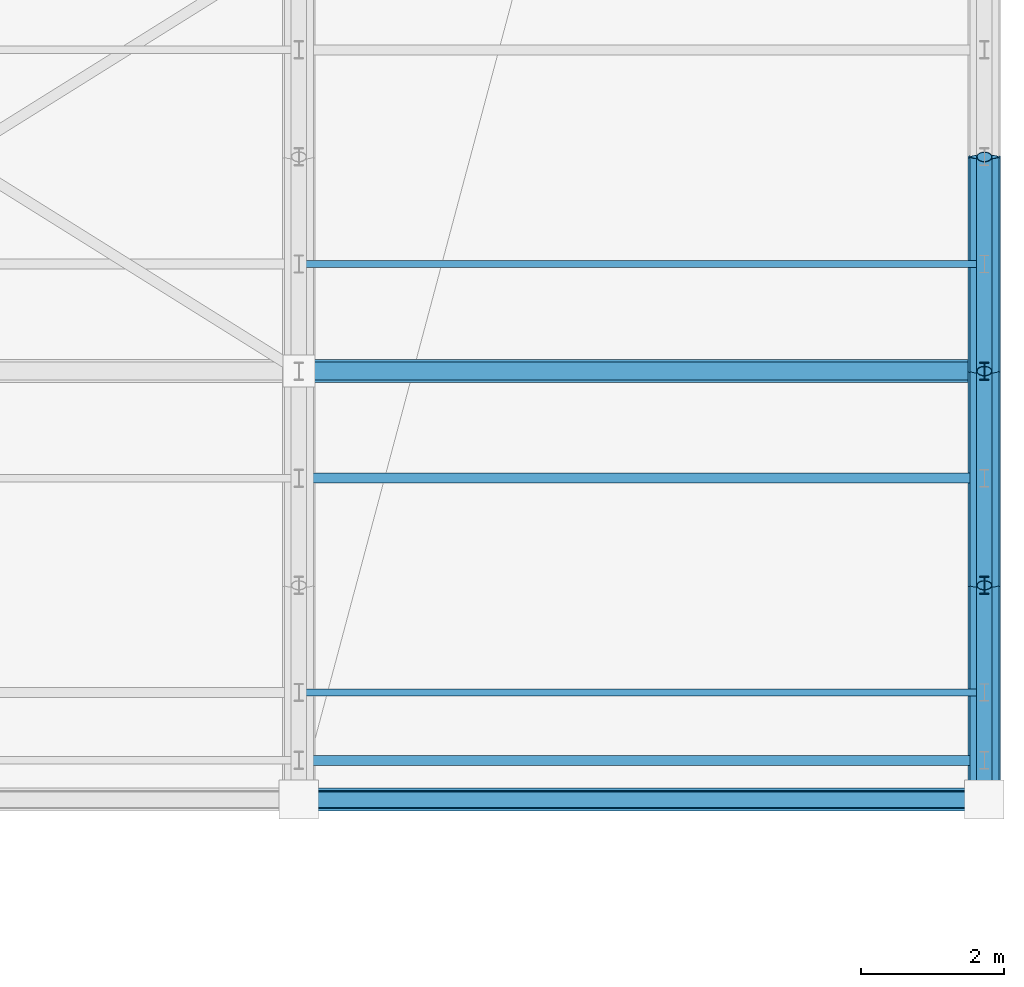
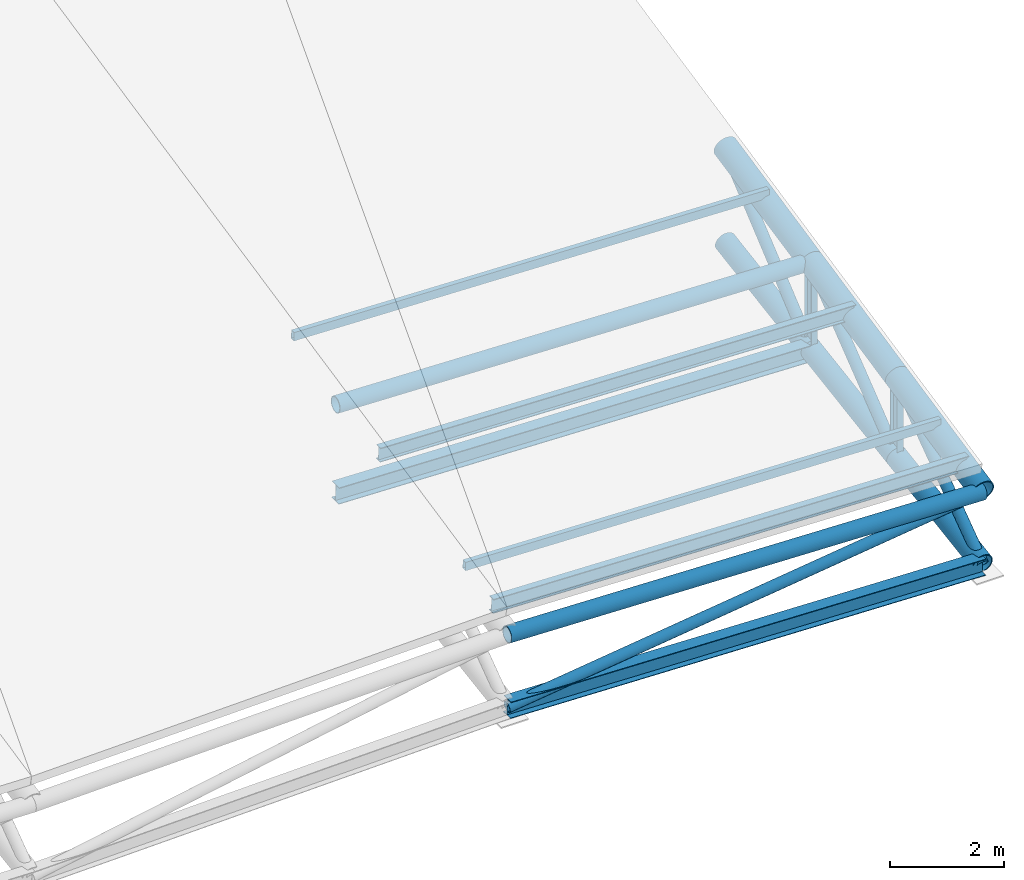
# One storey, part 37 of 109: 14 members, 6 beams.
"""IFC4 building model written with IfcOpenShell, lengths in metres."""

from ifc_helpers import new_model, si_unit, direction, frame, origin, origin_2d, place, context, subcontext, project, spatial, hollow_rectangle, hollow_circle, i_section, extrude, material, material_profile, profile_set, type_object, element, save


model = new_model("IFC4")

# Units and contexts
model_context = context("Model", 3, precision=1e-05, world=origin(), true_north=direction((0.0, 1.0)))
body_context = subcontext(model_context, "Body", "Model", "MODEL_VIEW")
ifc_project = project(units=[si_unit("LENGTHUNIT", "METRE"), si_unit("AREAUNIT", "SQUARE_METRE"), si_unit("VOLUMEUNIT", "CUBIC_METRE"), si_unit("PLANEANGLEUNIT", "RADIAN"), si_unit("MASSUNIT", "GRAM", prefix="KILO")], contexts=[model_context])

# Site, building, storey
site_placement = place(None, origin())
site = spatial("IfcSite", under=ifc_project, at=site_placement, CompositionType="ELEMENT")
building_placement = place(site_placement, origin())
building = spatial("IfcBuilding", under=site, at=building_placement, Name="Suirenkawa Promenade Aquatics Centre", CompositionType="ELEMENT")
storey_placement = place(building_placement, frame((0.0, 0.0, 22.800048828125)))
storey = spatial("IfcBuildingStorey", under=building, at=storey_placement, Name="ROOF", CompositionType="ELEMENT", Elevation=22.800048828125)

# Beams
ifc_material = material(Name="Steel IS 2062 E350 (Grade 350)", Category="steel")
ifc_material_profile_1 = material_profile(ifc_material, hollow_circle(Radius=0.202880859375, WallThickness=0.01806640625, at=origin_2d()), Name="CHS 406x18", Category="steel")
ifc_profile_set_1 = profile_set([ifc_material_profile_1], Name="Steel IS 2062 E350 (Grade 350)")
beam_type_1 = type_object("IfcBeamType", Name="BT-BC-CHS406", PredefinedType="BEAM", material=ifc_profile_set_1)
beam_1_placement = place(storey_placement, frame((194.39990234375, 50.39990234375, -10.630126953125), z_axis=(0.0, 0.988146576735, 0.153513331298), x_axis=(-1.0, 0.0, 0.0)))
element("IfcBeam", 1, at=beam_1_placement, inside=storey, type_object=beam_type_1, Name="ROOF TRUSS V2 bottom chord BC-01 BM-2540", PredefinedType="BEAM", context=body_context, shape_type="SweptSolid", body=[
    extrude(hollow_circle(Radius=0.202880859375, WallThickness=0.01806640625, at=origin_2d()), origin(), (0.0, 0.0, 1.0), 3.035888671875),
])
beam_2_placement = place(storey_placement, frame((194.39990234375, 53.39990234375, -10.1640625), z_axis=(0.0, 0.987852103285, 0.155396982068), x_axis=(-1.0, 0.0, 0.0)))
element("IfcBeam", 2, at=beam_2_placement, inside=storey, type_object=beam_type_1, Name="ROOF TRUSS V2 bottom chord BC-01 BM-2542", PredefinedType="BEAM", context=body_context, shape_type="SweptSolid", body=[
    extrude(hollow_circle(Radius=0.202880859375, WallThickness=0.01806640625, at=origin_2d()), origin(), (0.0, 0.0, 1.0), 3.036865234375),
])
beam_3_placement = place(storey_placement, frame((194.39990234375, 56.39990234375, -9.692138671875), z_axis=(0.0, 0.987278169946, 0.15900256334), x_axis=(-1.0, 0.0, 0.0)))
element("IfcBeam", 3, at=beam_3_placement, inside=storey, type_object=beam_type_1, Name="ROOF TRUSS V2 bottom chord BC-01 BM-2544", PredefinedType="BEAM", context=body_context, shape_type="SweptSolid", body=[
    extrude(hollow_circle(Radius=0.202880859375, WallThickness=0.01806640625, at=origin_2d()), origin(), (0.0, 0.0, 1.0), 3.03857421875),
])
ifc_material_profile_2 = material_profile(ifc_material, hollow_circle(Radius=0.22900390625, WallThickness=0.02001953125, at=origin_2d()), Name="CHS 458x20", Category="steel")
ifc_profile_set_2 = profile_set([ifc_material_profile_2], Name="Steel IS 2062 E350 (Grade 350)")
beam_type_2 = type_object("IfcBeamType", Name="BT-TC-CHS458", PredefinedType="BEAM", material=ifc_profile_set_2)
for number, where, z_axis, x_axis, name in (
    (4, (194.39990234375, 50.39990234375, -9.080078125), (0.0, 0.978452518953, 0.206471954886), (-1.0, 0.0, 0.0), "ROOF TRUSS V2 top chord TC-01 BM-2539"),
    (5, (194.39990234375, 53.39990234375, -8.447021484375), (0.0, 0.978388130003, 0.206776853322), (-1.0, 0.0, 0.0), "ROOF TRUSS V2 top chord TC-01 BM-2541"),
    (6, (194.39990234375, 56.39990234375, -7.81298828125), (0.0, 0.978452518953, 0.206471954886), (-1.0, 0.0, 0.0), "ROOF TRUSS V2 top chord TC-01 BM-2543"),
):
    element("IfcBeam", number, at=place(storey_placement, frame(where, z_axis=z_axis, x_axis=x_axis)), inside=storey, type_object=beam_type_2, Name=name, PredefinedType="BEAM", context=body_context, shape_type="SweptSolid", body=[
        extrude(hollow_circle(Radius=0.22900390625, WallThickness=0.02001953125, at=origin_2d()), origin(), (0.0, 0.0, 1.0), 3.066162109375),
    ])

# Members
ifc_material_profile_3 = material_profile(ifc_material, hollow_circle(Radius=0.162109375, WallThickness=0.013916015625, at=origin_2d()), Name="CHS 324x14", Category="steel")
ifc_profile_set_3 = profile_set([ifc_material_profile_3], Name="Steel IS 2062 E350 (Grade 350)")
member_type_1 = type_object("IfcMemberType", Name="MT-CHORD-CHS324", PredefinedType="CHORD", material=ifc_profile_set_3)
for number, where, z_axis, x_axis, name in (
    (7, (184.800048828125, 50.39990234375, -8.780029296875), (0.999511902476, 0.0, -0.031240307422), (0.0, 1.0, 0.0), "ROOF TRUSS V2 eave top chord CH-01 MB-1155"),
    (8, (184.800048828125, 56.39990234375, -7.512939453125), (0.999511902476, 0.0, -0.031240307422), (0.0, 1.0, 0.0), "ROOF TRUSS V2 tie chord CH-01 MB-1176"),
):
    element("IfcMember", number, at=place(storey_placement, frame(where, z_axis=z_axis, x_axis=x_axis)), inside=storey, type_object=member_type_1, Name=name, PredefinedType="CHORD", context=body_context, shape_type="SweptSolid", body=[
        extrude(hollow_circle(Radius=0.162109375, WallThickness=0.013916015625, at=origin_2d()), origin(), (0.0, 0.0, 1.0), 9.6044921875),
    ])
ifc_material_profile_4 = material_profile(ifc_material, i_section(OverallWidth=0.25, OverallDepth=0.35009765625, WebThickness=0.010009765625, FlangeThickness=0.011962890625, at=origin_2d()), Name="ISHB 350", Category="steel")
ifc_profile_set_4 = profile_set([ifc_material_profile_4], Name="Steel IS 2062 E350 (Grade 350)")
member_type_2 = type_object("IfcMemberType", Name="MT-CHORD-ISHB350", PredefinedType="CHORD", material=ifc_profile_set_4)
for number, where, z_axis, x_axis, name in (
    (9, (184.800048828125, 50.39990234375, -10.330078125), (0.999511902476, 0.0, -0.031240307422), (0.0, 1.0, 0.0), "ROOF TRUSS V2 eave bottom chord CH-04 MB-1156"),
    (10, (184.800048828125, 56.39990234375, -9.39208984375), (0.999511902476, 0.0, -0.031240307422), (0.0, 1.0, 0.0), "ROOF TRUSS V2 bottom tie CH-04 MB-1177"),
):
    element("IfcMember", number, at=place(storey_placement, frame(where, z_axis=z_axis, x_axis=x_axis)), inside=storey, type_object=member_type_2, Name=name, PredefinedType="CHORD", context=body_context, shape_type="SweptSolid", body=[
        extrude(i_section(OverallWidth=0.25, OverallDepth=0.35009765625, WebThickness=0.010009765625, FlangeThickness=0.011962890625, at=origin_2d()), origin(), (0.0, 0.0, 1.0), 9.6044921875),
    ])
ifc_material_profile_5 = material_profile(ifc_material, i_section(OverallWidth=0.139892578125, OverallDepth=0.300048828125, WebThickness=0.008056640625, FlangeThickness=0.012939453125, at=origin_2d()), Name="ISMB 300", Category="steel")
ifc_profile_set_5 = profile_set([ifc_material_profile_5], Name="Steel IS 2062 E350 (Grade 350)")
member_type_3 = type_object("IfcMemberType", Name="MT-PURLIN-ISMB300", PredefinedType="PURLIN", material=ifc_profile_set_5)
for number, where, z_axis, x_axis, name in (
    (11, (184.800048828125, 50.949951171875, -8.47802734375), (0.9995150722, 0.0, -0.031138729011), (0.0, 1.0, 0.0), "ROOF TRUSS Roof purlin PU-05 MB-2561"),
    (12, (184.800048828125, 54.89990234375, -7.64404296875), (0.999511902476, 0.0, -0.031240307422), (0.0, 1.0, 0.0), "ROOF TRUSS Roof purlin PU-05 MB-2565"),
):
    element("IfcMember", number, at=place(storey_placement, frame(where, z_axis=z_axis, x_axis=x_axis)), inside=storey, type_object=member_type_3, Name=name, PredefinedType="PURLIN", context=body_context, shape_type="SweptSolid", body=[
        extrude(i_section(OverallWidth=0.139892578125, OverallDepth=0.300048828125, WebThickness=0.008056640625, FlangeThickness=0.012939453125, at=origin_2d()), origin(), (0.0, 0.0, 1.0), 9.6044921875),
    ])
ifc_material_profile_6 = material_profile(ifc_material, hollow_rectangle(XDim=0.10009765625, YDim=0.179931640625, WallThickness=0.008056640625, at=origin_2d()), Name="RHS 180x100x8", Category="steel")
ifc_profile_set_6 = profile_set([ifc_material_profile_6], Name="Steel IS 2062 E350 (Grade 350)")
member_type_4 = type_object("IfcMemberType", Name="MT-PURLIN-RHS180", PredefinedType="PURLIN", material=ifc_profile_set_6)
for number, where, z_axis, x_axis, name in (
    (13, (184.800048828125, 51.89990234375, -8.213134765625), (0.999512695873, 0.0, -0.03121491291), (0.0, 1.0, 0.0), "ROOF TRUSS Roof purlin PU-01 MB-2563"),
    (14, (184.800048828125, 57.89990234375, -6.946044921875), (0.999511902476, 0.0, -0.031240307422), (0.0, 1.0, 0.0), "ROOF TRUSS Roof purlin PU-01 MB-2567"),
):
    element("IfcMember", number, at=place(storey_placement, frame(where, z_axis=z_axis, x_axis=x_axis)), inside=storey, type_object=member_type_4, Name=name, PredefinedType="PURLIN", context=body_context, shape_type="SweptSolid", body=[
        extrude(hollow_rectangle(XDim=0.10009765625, YDim=0.179931640625, WallThickness=0.008056640625, at=origin_2d()), origin(), (0.0, 0.0, 1.0), 9.6044921875),
    ])
ifc_material_profile_7 = material_profile(ifc_material, i_section(OverallWidth=0.125, OverallDepth=0.25, WebThickness=0.007080078125, FlangeThickness=0.012939453125, at=origin_2d()), Name="ISMB 250", Category="steel")
ifc_profile_set_7 = profile_set([ifc_material_profile_7], Name="Steel IS 2062 E350 (Grade 350)")
member_type_5 = type_object("IfcMemberType", Name="MT-WEB-CHS168", PredefinedType="BRACE", material=ifc_profile_set_7)
member_1_placement = place(storey_placement, frame((194.39990234375, 53.39990234375, -10.1640625), z_axis=(0.0, 0.0, 1.0), x_axis=(1.0, 0.0, 0.0)))
element("IfcMember", 15, at=member_1_placement, inside=storey, type_object=member_type_5, Name="ROOF TRUSS V2 web post TD-03 MB-1129", PredefinedType="BRACE", context=body_context, shape_type="SweptSolid", body=[
    extrude(i_section(OverallWidth=0.125, OverallDepth=0.25, WebThickness=0.007080078125, FlangeThickness=0.012939453125, at=origin_2d()), origin(), (0.0, 0.0, 1.0), 1.717041015625),
])
member_2_placement = place(storey_placement, frame((194.39990234375, 56.39990234375, -9.692138671875), z_axis=(0.0, 0.0, 1.0), x_axis=(1.0, 0.0, 0.0)))
element("IfcMember", 16, at=member_2_placement, inside=storey, type_object=member_type_5, Name="ROOF TRUSS V2 web post TD-03 MB-1130", PredefinedType="BRACE", context=body_context, shape_type="SweptSolid", body=[
    extrude(i_section(OverallWidth=0.125, OverallDepth=0.25, WebThickness=0.007080078125, FlangeThickness=0.012939453125, at=origin_2d()), origin(), (0.0, 0.0, 1.0), 1.879150390625),
])
ifc_material_profile_8 = material_profile(ifc_material, hollow_circle(Radius=0.110107421875, WallThickness=0.010009765625, at=origin_2d()), Name="CHS 220x10", Category="steel")
ifc_profile_set_8 = profile_set([ifc_material_profile_8], Name="Steel IS 2062 E350 (Grade 350)")
member_type_6 = type_object("IfcMemberType", Name="MT-WEB-CHS220", PredefinedType="BRACE", material=ifc_profile_set_8)
member_3_placement = place(storey_placement, frame((194.39990234375, 50.39990234375, -10.630126953125), z_axis=(0.0, 0.808571014745, 0.588398601387), x_axis=(-1.0, 0.0, 0.0)))
element("IfcMember", 17, at=member_3_placement, inside=storey, type_object=member_type_6, Name="ROOF TRUSS V2 web diagonal TD-01 MB-1111", PredefinedType="BRACE", context=body_context, shape_type="SweptSolid", body=[
    extrude(hollow_circle(Radius=0.110107421875, WallThickness=0.010009765625, at=origin_2d()), origin(), (0.0, 0.0, 1.0), 3.710205078125),
])
member_4_placement = place(storey_placement, frame((194.39990234375, 53.39990234375, -10.1640625), z_axis=(0.0, 0.787091215827, 0.616836621779), x_axis=(-1.0, 0.0, 0.0)))
element("IfcMember", 18, at=member_4_placement, inside=storey, type_object=member_type_6, Name="ROOF TRUSS V2 web diagonal TD-01 MB-1112", PredefinedType="BRACE", context=body_context, shape_type="SweptSolid", body=[
    extrude(hollow_circle(Radius=0.110107421875, WallThickness=0.010009765625, at=origin_2d()), origin(), (0.0, 0.0, 1.0), 3.8115234375),
])
member_5_placement = place(storey_placement, frame((194.39990234375, 56.39990234375, -9.692138671875), z_axis=(0.0, 0.766684820047, 0.642023665225), x_axis=(-1.0, 0.0, 0.0)))
element("IfcMember", 19, at=member_5_placement, inside=storey, type_object=member_type_6, Name="ROOF TRUSS V2 web diagonal TD-01 MB-1113", PredefinedType="BRACE", context=body_context, shape_type="SweptSolid", body=[
    extrude(hollow_circle(Radius=0.110107421875, WallThickness=0.010009765625, at=origin_2d()), origin(), (0.0, 0.0, 1.0), 3.912841796875),
])
member_6_placement = place(storey_placement, frame((184.800048828125, 50.39990234375, -10.330078125), z_axis=(0.991628933979, 0.0, 0.129120320998), x_axis=(0.0, 1.0, 0.0)))
element("IfcMember", 20, at=member_6_placement, inside=storey, type_object=member_type_6, Name="ROOF TRUSS V2 eave web diagonal TD-01 MB-1157", PredefinedType="BRACE", context=body_context, shape_type="SweptSolid", body=[
    extrude(hollow_circle(Radius=0.110107421875, WallThickness=0.010009765625, at=origin_2d()), origin(), (0.0, 0.0, 1.0), 9.680908203125),
])

save(model, "model.ifc")
